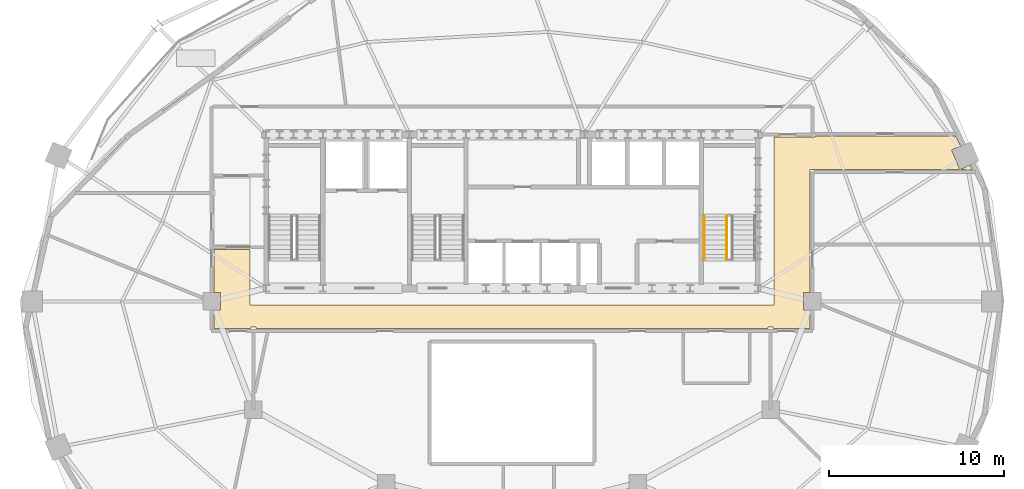
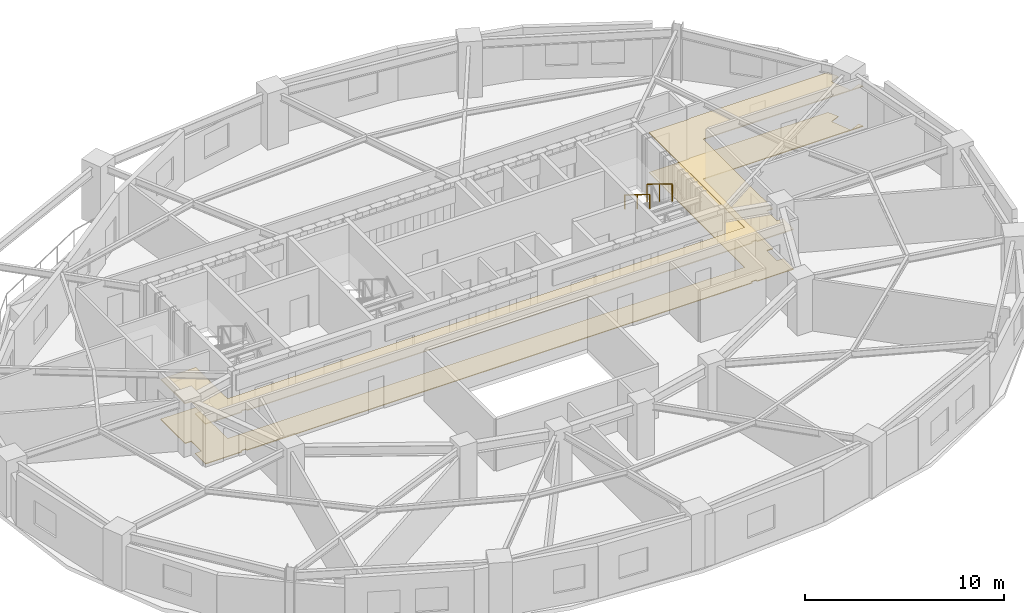
# One storey, part 8 of 10: 2 coverings, 2 railings.
"""IFC4 building model written with IfcOpenShell, lengths in metres."""

from ifc_helpers import new_model, si_unit, direction, frame, origin, origin_2d, place, context, subcontext, project, spatial, polyline, rectangle, outline, extrude, material, layer, layer_set, type_object, element, save


model = new_model("IFC4")

# Units and contexts
model_context = context("Model", 3, precision=1e-05, world=origin(), true_north=direction((0.0, 1.0)))
body_context = subcontext(model_context, "Body", "Model", "MODEL_VIEW")
ifc_project = project(units=[si_unit("LENGTHUNIT", "METRE"), si_unit("AREAUNIT", "SQUARE_METRE"), si_unit("VOLUMEUNIT", "CUBIC_METRE"), si_unit("PLANEANGLEUNIT", "RADIAN"), si_unit("MASSUNIT", "GRAM", prefix="KILO")], contexts=[model_context])

# Site, building, storey
site_placement = place(None, origin())
site = spatial("IfcSite", under=ifc_project, at=site_placement, CompositionType="ELEMENT")
building_placement = place(site_placement, origin())
building = spatial("IfcBuilding", under=site, at=building_placement, Name="Haldorwick Loom Tower", CompositionType="ELEMENT")
storey_placement = place(building_placement, frame((0.0, 0.0, 185.5)))
storey = spatial("IfcBuildingStorey", under=building, at=storey_placement, Name="L50", CompositionType="ELEMENT", Elevation=185.5)

# Coverings
ifc_material_1 = material(Name="Mineral Fibre Acoustic Ceiling Tile")
ifc_layer_1 = layer(ifc_material_1, 0.054931640625, Name="Mineral Fibre Acoustic Ceiling Tile")
ifc_layer_set_1 = layer_set([ifc_layer_1], Name="Mineral Fibre Acoustic Ceiling Tile")
covering_type_1 = type_object("IfcCoveringType", Name="ARC-COV-CEIL2", PredefinedType="CEILING", material=ifc_layer_set_1)
covering_1_placement = place(storey_placement, frame((0.0, 0.0, 2.43896484375)))
element("IfcCovering", 1, at=covering_1_placement, inside=storey, type_object=covering_type_1, Name="L50 Acoustic Suspended Ceiling 1", PredefinedType="CEILING", context=body_context, shape_type="SweptSolid", body=[
    extrude(outline(polyline([(61.41259765625, 35.4599609375), (53.340087890625, 35.4599609375), (53.340087890625, 35.429931640625), (53.33984375, 35.427978515625), (53.339599609375, 35.426025390625), (53.339111328125, 35.42431640625), (53.33837890625, 35.42236328125), (53.337646484375, 35.420654296875), (53.336669921875, 35.4189453125), (53.33544921875, 35.417236328125), (53.333984375, 35.416015625), (53.332763671875, 35.41455078125), (53.3310546875, 35.413330078125), (53.329345703125, 35.412353515625), (53.32763671875, 35.41162109375), (53.32568359375, 35.410888671875), (53.323974609375, 35.410400390625), (53.322021484375, 35.41015625), (53.320068359375, 35.409912109375), (51.0, 35.409912109375), (51.0, 25.800048828125), (21.0, 25.800048828125), (21.0, 28.9599609375), (18.93994140625, 28.9599609375), (18.93994140625, 26.508056640625), (19.30810546875, 26.508056640625), (19.30810546875, 25.491943359375), (18.93994140625, 25.491943359375), (18.93994140625, 24.43994140625), (21.06005859375, 24.43994140625), (21.06005859375, 24.52001953125), (21.06005859375, 24.52197265625), (21.060302734375, 24.52392578125), (21.060791015625, 24.52587890625), (21.0615234375, 24.527587890625), (21.0625, 24.529296875), (21.0634765625, 24.531005859375), (21.064453125, 24.53271484375), (21.06591796875, 24.5341796875), (21.0673828125, 24.535400390625), (21.06884765625, 24.53662109375), (21.070556640625, 24.53759765625), (21.072265625, 24.53857421875), (21.07421875, 24.5390625), (21.076171875, 24.53955078125), (21.077880859375, 24.539794921875), (21.080078125, 24.5400390625), (21.320068359375, 24.5400390625), (21.322021484375, 24.539794921875), (21.323974609375, 24.53955078125), (21.32568359375, 24.5390625), (21.32763671875, 24.53857421875), (21.329345703125, 24.53759765625), (21.3310546875, 24.53662109375), (21.332763671875, 24.535400390625), (21.333984375, 24.5341796875), (21.33544921875, 24.53271484375), (21.336669921875, 24.531005859375), (21.337646484375, 24.529296875), (21.33837890625, 24.527587890625), (21.339111328125, 24.52587890625), (21.339599609375, 24.52392578125), (21.33984375, 24.52197265625), (21.340087890625, 24.52001953125), (21.340087890625, 24.43994140625), (50.659912109375, 24.43994140625), (50.659912109375, 24.52001953125), (50.66015625, 24.52197265625), (50.660400390625, 24.52392578125), (50.660888671875, 24.52587890625), (50.66162109375, 24.527587890625), (50.662353515625, 24.529296875), (50.663330078125, 24.531005859375), (50.66455078125, 24.53271484375), (50.666015625, 24.5341796875), (50.667236328125, 24.535400390625), (50.6689453125, 24.53662109375), (50.670654296875, 24.53759765625), (50.67236328125, 24.53857421875), (50.67431640625, 24.5390625), (50.676025390625, 24.53955078125), (50.677978515625, 24.539794921875), (50.679931640625, 24.5400390625), (50.919921875, 24.5400390625), (50.922119140625, 24.539794921875), (50.923828125, 24.53955078125), (50.92578125, 24.5390625), (50.927734375, 24.53857421875), (50.929443359375, 24.53759765625), (50.93115234375, 24.53662109375), (50.9326171875, 24.535400390625), (50.93408203125, 24.5341796875), (50.935546875, 24.53271484375), (50.9365234375, 24.531005859375), (50.9375, 24.529296875), (50.9384765625, 24.527587890625), (50.939208984375, 24.52587890625), (50.939697265625, 24.52392578125), (50.93994140625, 24.52197265625), (50.93994140625, 24.52001953125), (50.93994140625, 24.43994140625), (53.06005859375, 24.43994140625), (53.06005859375, 25.491943359375), (52.69189453125, 25.491943359375), (52.69189453125, 26.508056640625), (53.06005859375, 26.508056640625), (53.06005859375, 33.52001953125), (53.06005859375, 33.52197265625), (53.060302734375, 33.52392578125), (53.060791015625, 33.52587890625), (53.0615234375, 33.527587890625), (53.0625, 33.529296875), (53.0634765625, 33.531005859375), (53.064453125, 33.53271484375), (53.06591796875, 33.5341796875), (53.0673828125, 33.535400390625), (53.06884765625, 33.53662109375), (53.070556640625, 33.53759765625), (53.072265625, 33.53857421875), (53.07421875, 33.5390625), (53.076171875, 33.53955078125), (53.077880859375, 33.539794921875), (53.080078125, 33.5400390625), (62.361083984375, 33.5400390625), (62.23388671875, 33.79736328125), (61.632080078125, 33.548095703125), (61.16650390625, 34.67138671875), (61.694091796875, 34.89013671875), (61.41259765625, 35.4599609375)])), origin(), (0.0, 0.0, 1.0), 0.054931640625),
])
ifc_material_2 = material(Name="Polished Aggregate Terrazzo Finish")
ifc_layer_2 = layer(ifc_material_2, 0.044921875, Name="Polished Aggregate Terrazzo Finish")
ifc_layer_set_2 = layer_set([ifc_layer_2], Name="Polished Aggregate Terrazzo Finish")
covering_type_2 = type_object("IfcCoveringType", Name="ARC-COV-FLOOR2", PredefinedType="FLOORING", material=ifc_layer_set_2)
covering_2_placement = place(storey_placement, origin())
element("IfcCovering", 2, at=covering_2_placement, inside=storey, type_object=covering_type_2, Name="L50 Floor Finish 1", PredefinedType="FLOORING", context=body_context, shape_type="SweptSolid", body=[
    extrude(outline(polyline([(61.41259765625, 35.4599609375), (53.340087890625, 35.4599609375), (53.340087890625, 35.429931640625), (53.33984375, 35.427978515625), (53.339599609375, 35.426025390625), (53.339111328125, 35.42431640625), (53.33837890625, 35.42236328125), (53.337646484375, 35.420654296875), (53.336669921875, 35.4189453125), (53.33544921875, 35.417236328125), (53.333984375, 35.416015625), (53.332763671875, 35.41455078125), (53.3310546875, 35.413330078125), (53.329345703125, 35.412353515625), (53.32763671875, 35.41162109375), (53.32568359375, 35.410888671875), (53.323974609375, 35.410400390625), (53.322021484375, 35.41015625), (53.320068359375, 35.409912109375), (51.0, 35.409912109375), (51.0, 25.800048828125), (21.0, 25.800048828125), (21.0, 28.9599609375), (18.93994140625, 28.9599609375), (18.93994140625, 26.508056640625), (19.30810546875, 26.508056640625), (19.30810546875, 25.491943359375), (18.93994140625, 25.491943359375), (18.93994140625, 24.43994140625), (21.06005859375, 24.43994140625), (21.06005859375, 24.52001953125), (21.06005859375, 24.52197265625), (21.060302734375, 24.52392578125), (21.060791015625, 24.52587890625), (21.0615234375, 24.527587890625), (21.0625, 24.529296875), (21.0634765625, 24.531005859375), (21.064453125, 24.53271484375), (21.06591796875, 24.5341796875), (21.0673828125, 24.535400390625), (21.06884765625, 24.53662109375), (21.070556640625, 24.53759765625), (21.072265625, 24.53857421875), (21.07421875, 24.5390625), (21.076171875, 24.53955078125), (21.077880859375, 24.539794921875), (21.080078125, 24.5400390625), (21.320068359375, 24.5400390625), (21.322021484375, 24.539794921875), (21.323974609375, 24.53955078125), (21.32568359375, 24.5390625), (21.32763671875, 24.53857421875), (21.329345703125, 24.53759765625), (21.3310546875, 24.53662109375), (21.332763671875, 24.535400390625), (21.333984375, 24.5341796875), (21.33544921875, 24.53271484375), (21.336669921875, 24.531005859375), (21.337646484375, 24.529296875), (21.33837890625, 24.527587890625), (21.339111328125, 24.52587890625), (21.339599609375, 24.52392578125), (21.33984375, 24.52197265625), (21.340087890625, 24.52001953125), (21.340087890625, 24.43994140625), (50.659912109375, 24.43994140625), (50.659912109375, 24.52001953125), (50.66015625, 24.52197265625), (50.660400390625, 24.52392578125), (50.660888671875, 24.52587890625), (50.66162109375, 24.527587890625), (50.662353515625, 24.529296875), (50.663330078125, 24.531005859375), (50.66455078125, 24.53271484375), (50.666015625, 24.5341796875), (50.667236328125, 24.535400390625), (50.6689453125, 24.53662109375), (50.670654296875, 24.53759765625), (50.67236328125, 24.53857421875), (50.67431640625, 24.5390625), (50.676025390625, 24.53955078125), (50.677978515625, 24.539794921875), (50.679931640625, 24.5400390625), (50.919921875, 24.5400390625), (50.922119140625, 24.539794921875), (50.923828125, 24.53955078125), (50.92578125, 24.5390625), (50.927734375, 24.53857421875), (50.929443359375, 24.53759765625), (50.93115234375, 24.53662109375), (50.9326171875, 24.535400390625), (50.93408203125, 24.5341796875), (50.935546875, 24.53271484375), (50.9365234375, 24.531005859375), (50.9375, 24.529296875), (50.9384765625, 24.527587890625), (50.939208984375, 24.52587890625), (50.939697265625, 24.52392578125), (50.93994140625, 24.52197265625), (50.93994140625, 24.52001953125), (50.93994140625, 24.43994140625), (53.06005859375, 24.43994140625), (53.06005859375, 25.491943359375), (52.69189453125, 25.491943359375), (52.69189453125, 26.508056640625), (53.06005859375, 26.508056640625), (53.06005859375, 33.52001953125), (53.06005859375, 33.52197265625), (53.060302734375, 33.52392578125), (53.060791015625, 33.52587890625), (53.0615234375, 33.527587890625), (53.0625, 33.529296875), (53.0634765625, 33.531005859375), (53.064453125, 33.53271484375), (53.06591796875, 33.5341796875), (53.0673828125, 33.535400390625), (53.06884765625, 33.53662109375), (53.070556640625, 33.53759765625), (53.072265625, 33.53857421875), (53.07421875, 33.5390625), (53.076171875, 33.53955078125), (53.077880859375, 33.539794921875), (53.080078125, 33.5400390625), (62.361083984375, 33.5400390625), (62.23388671875, 33.79736328125), (61.632080078125, 33.548095703125), (61.16650390625, 34.67138671875), (61.694091796875, 34.89013671875), (61.41259765625, 35.4599609375)])), origin(), (0.0, 0.0, 1.0), 0.044921875),
])

# Railings
ifc_material_3 = material(Name="Steel CSA G40.21 350W", Category="steel")
railing_type_1 = type_object("IfcRailingType", Name="ARC-RLG-GUARD112", PredefinedType="GUARDRAIL", material=ifc_material_3)
railing_1_placement = place(storey_placement, frame((48.300048828125, 30.919921875, 1.8974609375)))
element("IfcRailing", 3, at=railing_1_placement, inside=storey, type_object=railing_type_1, Name="L50 ST-02 stair guard 3", PredefinedType="GUARDRAIL", context=body_context, shape_type="SweptSolid", body=[
    extrude(rectangle(XDim=0.048095703125, YDim=0.048095703125, at=origin_2d()), frame((0.0, 0.0, 1.076171875), z_axis=(0.0, -0.851400495292, 0.524516154772), x_axis=(1.0, 0.0, 0.0)), (0.0, 0.0, 1.0), 2.9599609375),
    extrude(rectangle(XDim=0.0419921875, YDim=0.0419921875, at=origin_2d()), origin(), (0.0, 0.0, 1.0), 1.052001953125),
    extrude(rectangle(XDim=0.0419921875, YDim=0.0419921875, at=origin_2d()), frame((0.0, -1.260009765625, 0.7763671875)), (0.0, 0.0, 1.0), 1.052001953125),
    extrude(rectangle(XDim=0.0419921875, YDim=0.0419921875, at=origin_2d()), frame((0.0, -2.52001953125, 1.552490234375)), (0.0, 0.0, 1.0), 1.052001953125),
])
railing_type_2 = type_object("IfcRailingType", Name="ARC-RLG-HAND092", PredefinedType="HANDRAIL", material=ifc_material_3)
railing_2_placement = place(storey_placement, frame((47.0, 30.919921875, 1.8974609375)))
element("IfcRailing", 4, at=railing_2_placement, inside=storey, type_object=railing_type_2, Name="L50 ST-02 stair handrail 2", PredefinedType="HANDRAIL", context=body_context, shape_type="SweptSolid", body=[
    extrude(rectangle(XDim=0.048095703125, YDim=0.048095703125, at=origin_2d()), frame((0.0, 0.0, 0.8759765625), z_axis=(0.0, -0.851400495292, 0.524516154772), x_axis=(1.0, 0.0, 0.0)), (0.0, 0.0, 1.0), 2.9599609375),
    extrude(rectangle(XDim=0.0419921875, YDim=0.0419921875, at=origin_2d()), origin(), (0.0, 0.0, 1.0), 0.851806640625),
    extrude(rectangle(XDim=0.0419921875, YDim=0.0419921875, at=origin_2d()), frame((0.0, -1.260009765625, 0.7763671875)), (0.0, 0.0, 1.0), 0.851806640625),
    extrude(rectangle(XDim=0.0419921875, YDim=0.0419921875, at=origin_2d()), frame((0.0, -2.52001953125, 1.552490234375)), (0.0, 0.0, 1.0), 0.851806640625),
])

save(model, "model.ifc")
